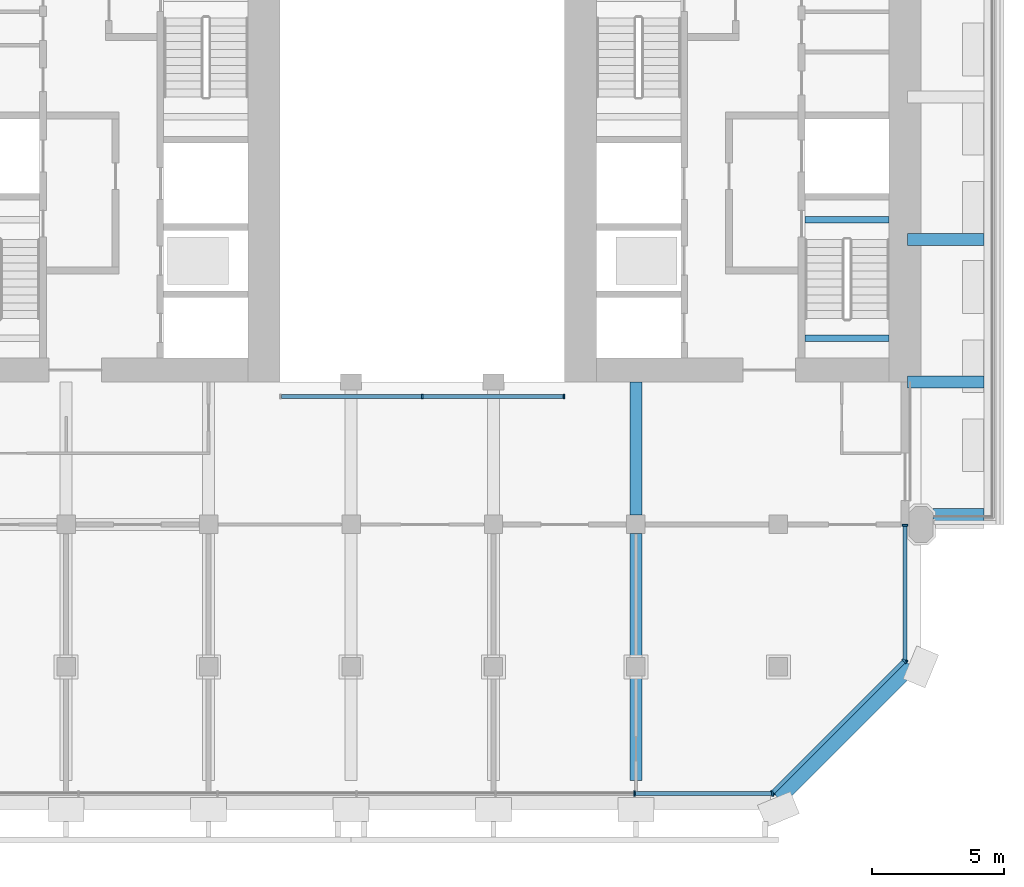
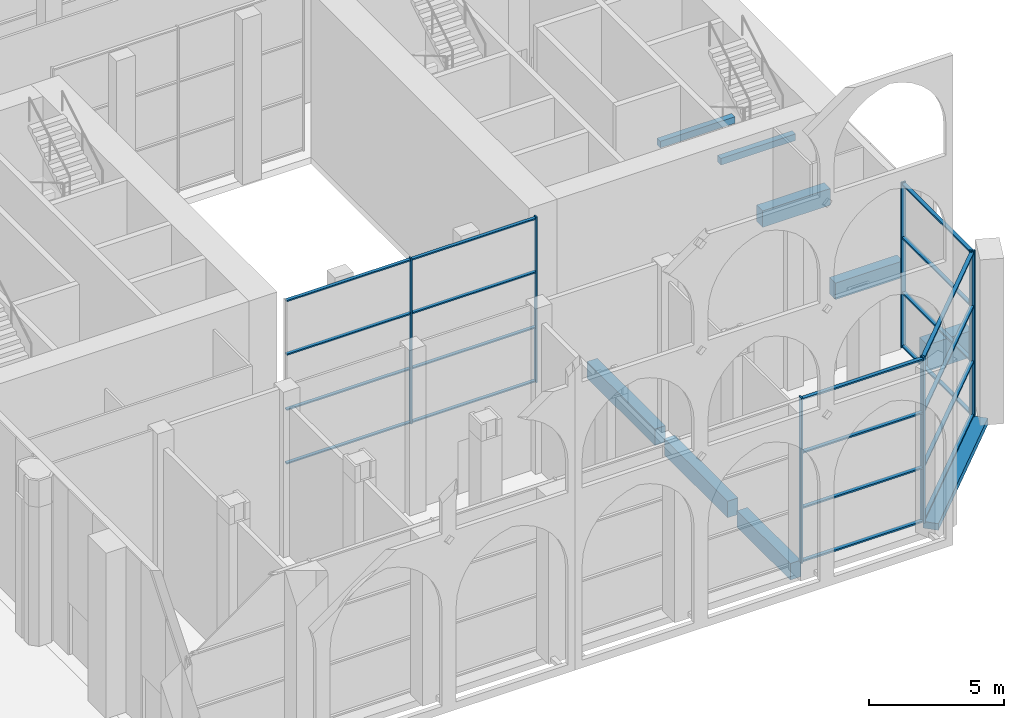
# One storey, part 4 of 20: 28 members, 9 beams, 4 elements without a shape of their own.
"""IFC4 building model written with IfcOpenShell, lengths in metres."""

from ifc_helpers import new_model, si_unit, direction, frame, origin, origin_2d, place, context, subcontext, project, spatial, rectangle, extrude, material, material_profile, profile_set, type_object, element, aggregate, save


model = new_model("IFC4")

# Units and contexts
model_context = context("Model", 3, precision=1e-05, world=origin(), true_north=direction((0.0, 1.0)))
body_context = subcontext(model_context, "Body", "Model", "MODEL_VIEW")
ifc_project = project(units=[si_unit("LENGTHUNIT", "METRE"), si_unit("AREAUNIT", "SQUARE_METRE"), si_unit("VOLUMEUNIT", "CUBIC_METRE"), si_unit("PLANEANGLEUNIT", "RADIAN"), si_unit("MASSUNIT", "GRAM", prefix="KILO")], contexts=[model_context])

# Site, building, storey
site_placement = place(None, origin())
site = spatial("IfcSite", under=ifc_project, at=site_placement, CompositionType="ELEMENT")
building_placement = place(site_placement, origin())
building = spatial("IfcBuilding", under=site, at=building_placement, Name="Tabaq Tower and Sports Hall", CompositionType="ELEMENT")
storey_placement = place(building_placement, frame((0.0, 0.0, 243.10009765625)))
storey = spatial("IfcBuildingStorey", under=building, at=storey_placement, Name="L60", CompositionType="ELEMENT", Elevation=243.10009765625)

# Curtain wall, members
ifc_material_1 = material(Name="Aluminium alloy 6063-T6 framed glazing", Category="aluminium")
curtain_wall_type_1 = type_object("IfcCurtainWallType", Name="CW1 curtain wall", PredefinedType="USERDEFINED", material=ifc_material_1)
curtain_wall_1_placement = place(storey_placement, origin())
curtain_wall_1 = element("IfcCurtainWall", 1, at=curtain_wall_1_placement, inside=storey, type_object=curtain_wall_type_1, Name="Atrium glazing L60 S", ObjectType="ATRIUM ENCLOSURE", PredefinedType="USERDEFINED")
ifc_material_2 = material(Name="Aluminium alloy 6063-T6", Category="aluminium")
ifc_material_profile_1 = material_profile(ifc_material_2, rectangle(XDim=0.159912109375, YDim=0.06005859375, at=origin_2d()), Name="MULLION 160x60")
ifc_profile_set_1 = profile_set([ifc_material_profile_1], Name="Aluminium alloy 6063-T6")
member_type_1 = type_object("IfcMemberType", Name="CW1 mullion 160x60", PredefinedType="MULLION", material=ifc_profile_set_1)
member_1_placement = place(storey_placement, frame((24.300048828125, 15.64990234375, 0.0), z_axis=(0.0, 0.0, 1.0), x_axis=(0.0, 1.0, 0.0)))
member_1 = element("IfcMember", 2, at=member_1_placement, type_object=member_type_1, Name="CW1 mullion 2", PredefinedType="MULLION", context=body_context, shape_type="SweptSolid", body=[
    extrude(rectangle(XDim=0.159912109375, YDim=0.06005859375, at=origin_2d()), origin(), (0.0, 0.0, 1.0), 7.5),
])
member_2_placement = place(storey_placement, frame((29.669921875, 15.64990234375, 0.0), z_axis=(0.0, 0.0, 1.0), x_axis=(0.0, 1.0, 0.0)))
member_2 = element("IfcMember", 3, at=member_2_placement, type_object=member_type_1, Name="CW1 mullion 3", PredefinedType="MULLION", context=body_context, shape_type="SweptSolid", body=[
    extrude(rectangle(XDim=0.159912109375, YDim=0.06005859375, at=origin_2d()), origin(), (0.0, 0.0, 1.0), 7.5),
])
ifc_material_3 = material(Name="Aluminium alloy 6063-T6", Category="aluminium")
ifc_material_profile_2 = material_profile(ifc_material_3, rectangle(XDim=0.139892578125, YDim=0.06005859375, at=origin_2d()), Name="TRANSOM 140x60")
ifc_profile_set_2 = profile_set([ifc_material_profile_2], Name="Aluminium alloy 6063-T6")
member_type_2 = type_object("IfcMemberType", Name="CW1 transom 140x60", PredefinedType="USERDEFINED", material=ifc_profile_set_2)
member_3_placement = place(storey_placement, frame((18.9599609375, 15.64990234375, 0.06982421875), z_axis=(1.0, 0.0, 0.0), x_axis=(0.0, 1.0, 0.0)))
member_3 = element("IfcMember", 4, at=member_3_placement, type_object=member_type_2, Name="CW1 transom 1.1", ObjectType="TRANSOM", PredefinedType="USERDEFINED", context=body_context, shape_type="SweptSolid", body=[
    extrude(rectangle(XDim=0.139892578125, YDim=0.06005859375, at=origin_2d()), origin(), (0.0, 0.0, 1.0), 5.31005859375),
])
member_4_placement = place(storey_placement, frame((18.9599609375, 15.64990234375, 2.5), z_axis=(1.0, 0.0, 0.0), x_axis=(0.0, 1.0, 0.0)))
member_4 = element("IfcMember", 5, at=member_4_placement, type_object=member_type_2, Name="CW1 transom 1.2", ObjectType="TRANSOM", PredefinedType="USERDEFINED", context=body_context, shape_type="SweptSolid", body=[
    extrude(rectangle(XDim=0.139892578125, YDim=0.06005859375, at=origin_2d()), origin(), (0.0, 0.0, 1.0), 5.31005859375),
])
member_5_placement = place(storey_placement, frame((18.9599609375, 15.64990234375, 5.0), z_axis=(1.0, 0.0, 0.0), x_axis=(0.0, 1.0, 0.0)))
member_5 = element("IfcMember", 6, at=member_5_placement, type_object=member_type_2, Name="CW1 transom 1.3", ObjectType="TRANSOM", PredefinedType="USERDEFINED", context=body_context, shape_type="SweptSolid", body=[
    extrude(rectangle(XDim=0.139892578125, YDim=0.06005859375, at=origin_2d()), origin(), (0.0, 0.0, 1.0), 5.31005859375),
])
member_6_placement = place(storey_placement, frame((18.9599609375, 15.64990234375, 7.429931640625), z_axis=(1.0, 0.0, 0.0), x_axis=(0.0, 1.0, 0.0)))
member_6 = element("IfcMember", 7, at=member_6_placement, type_object=member_type_2, Name="CW1 transom 1.4", ObjectType="TRANSOM", PredefinedType="USERDEFINED", context=body_context, shape_type="SweptSolid", body=[
    extrude(rectangle(XDim=0.139892578125, YDim=0.06005859375, at=origin_2d()), origin(), (0.0, 0.0, 1.0), 5.31005859375),
])
member_7_placement = place(storey_placement, frame((24.330078125, 15.64990234375, 0.06982421875), z_axis=(1.0, 0.0, 0.0), x_axis=(0.0, 1.0, 0.0)))
member_7 = element("IfcMember", 8, at=member_7_placement, type_object=member_type_2, Name="CW1 transom 2.1", ObjectType="TRANSOM", PredefinedType="USERDEFINED", context=body_context, shape_type="SweptSolid", body=[
    extrude(rectangle(XDim=0.139892578125, YDim=0.06005859375, at=origin_2d()), origin(), (0.0, 0.0, 1.0), 5.309814453125),
])
member_8_placement = place(storey_placement, frame((24.330078125, 15.64990234375, 2.5), z_axis=(1.0, 0.0, 0.0), x_axis=(0.0, 1.0, 0.0)))
member_8 = element("IfcMember", 9, at=member_8_placement, type_object=member_type_2, Name="CW1 transom 2.2", ObjectType="TRANSOM", PredefinedType="USERDEFINED", context=body_context, shape_type="SweptSolid", body=[
    extrude(rectangle(XDim=0.139892578125, YDim=0.06005859375, at=origin_2d()), origin(), (0.0, 0.0, 1.0), 5.309814453125),
])
member_9_placement = place(storey_placement, frame((24.330078125, 15.64990234375, 5.0), z_axis=(1.0, 0.0, 0.0), x_axis=(0.0, 1.0, 0.0)))
member_9 = element("IfcMember", 10, at=member_9_placement, type_object=member_type_2, Name="CW1 transom 2.3", ObjectType="TRANSOM", PredefinedType="USERDEFINED", context=body_context, shape_type="SweptSolid", body=[
    extrude(rectangle(XDim=0.139892578125, YDim=0.06005859375, at=origin_2d()), origin(), (0.0, 0.0, 1.0), 5.309814453125),
])
member_10_placement = place(storey_placement, frame((24.330078125, 15.64990234375, 7.429931640625), z_axis=(1.0, 0.0, 0.0), x_axis=(0.0, 1.0, 0.0)))
member_10 = element("IfcMember", 11, at=member_10_placement, type_object=member_type_2, Name="CW1 transom 2.4", ObjectType="TRANSOM", PredefinedType="USERDEFINED", context=body_context, shape_type="SweptSolid", body=[
    extrude(rectangle(XDim=0.139892578125, YDim=0.06005859375, at=origin_2d()), origin(), (0.0, 0.0, 1.0), 5.309814453125),
])
aggregate(curtain_wall_1, [member_1, member_2, member_3, member_4, member_5, member_6, member_7, member_8, member_9, member_10])

ifc_material_4 = material(Name="Aluminium alloy 6063-T6 framed glazing", Category="aluminium")
curtain_wall_type_2 = type_object("IfcCurtainWallType", Name="CW2 curtain wall", PredefinedType="USERDEFINED", material=ifc_material_4)
curtain_wall_2_placement = place(storey_placement, origin())
curtain_wall_2 = element("IfcCurtainWall", 12, at=curtain_wall_2_placement, inside=storey, type_object=curtain_wall_type_2, Name="Sky Lobby Wall L60 S", ObjectType="SKY LOBBY WALL", PredefinedType="USERDEFINED")
ifc_material_5 = material(Name="Aluminium alloy 6063-T6", Category="aluminium")
ifc_material_profile_3 = material_profile(ifc_material_5, rectangle(XDim=0.199951171875, YDim=0.070068359375, at=origin_2d()), Name="MULLION 200x70")
ifc_profile_set_3 = profile_set([ifc_material_profile_3], Name="Aluminium alloy 6063-T6")
member_type_3 = type_object("IfcMemberType", Name="CW2 mullion 200x70", PredefinedType="MULLION", material=ifc_profile_set_3)
member_11_placement = place(storey_placement, frame((32.3447265625, 0.60009765625, 0.0), z_axis=(0.0, 0.0, 1.0), x_axis=(0.0, 1.0, 0.0)))
member_11 = element("IfcMember", 13, at=member_11_placement, type_object=member_type_3, Name="CW2 mullion 6", PredefinedType="MULLION", context=body_context, shape_type="SweptSolid", body=[
    extrude(rectangle(XDim=0.199951171875, YDim=0.070068359375, at=origin_2d()), origin(), (0.0, 0.0, 1.0), 7.5),
])
member_12_placement = place(storey_placement, frame((37.57861328125, 0.60009765625, 0.0), z_axis=(0.0, 0.0, 1.0), x_axis=(0.0, 1.0, 0.0)))
member_12 = element("IfcMember", 14, at=member_12_placement, type_object=member_type_3, Name="CW2 mullion 7", PredefinedType="MULLION", context=body_context, shape_type="SweptSolid", body=[
    extrude(rectangle(XDim=0.199951171875, YDim=0.070068359375, at=origin_2d()), origin(), (0.0, 0.0, 1.0), 7.5),
])

curtain_wall_3_placement = place(storey_placement, origin())
curtain_wall_3 = element("IfcCurtainWall", 15, at=curtain_wall_3_placement, inside=storey, type_object=curtain_wall_type_2, Name="Sky Lobby Wall L60 SE", ObjectType="SKY LOBBY WALL", PredefinedType="USERDEFINED")
member_13_placement = place(storey_placement, frame((37.576171875, 0.624755859375, 0.0), z_axis=(0.0, 0.0, 1.0), x_axis=(-0.707106781187, 0.707106781187, 0.0)))
member_13 = element("IfcMember", 16, at=member_13_placement, type_object=member_type_3, Name="CW2 mullion 1", PredefinedType="MULLION", context=body_context, shape_type="SweptSolid", body=[
    extrude(rectangle(XDim=0.199951171875, YDim=0.070068359375, at=origin_2d()), origin(), (0.0, 0.0, 1.0), 7.5),
])
member_14_placement = place(storey_placement, frame((42.5751953125, 5.623779296875, 0.0), z_axis=(0.0, 0.0, 1.0), x_axis=(-0.707106781187, 0.707106781187, 0.0)))
member_14 = element("IfcMember", 17, at=member_14_placement, type_object=member_type_3, Name="CW2 mullion 2", PredefinedType="MULLION", context=body_context, shape_type="SweptSolid", body=[
    extrude(rectangle(XDim=0.199951171875, YDim=0.070068359375, at=origin_2d()), origin(), (0.0, 0.0, 1.0), 7.5),
])

curtain_wall_4_placement = place(storey_placement, origin())
curtain_wall_4 = element("IfcCurtainWall", 18, at=curtain_wall_4_placement, inside=storey, type_object=curtain_wall_type_2, Name="Sky Lobby Wall L60 E", ObjectType="SKY LOBBY WALL", PredefinedType="USERDEFINED")
member_15_placement = place(storey_placement, frame((42.60009765625, 5.621337890625, 0.0), z_axis=(0.0, 0.0, 1.0), x_axis=(-1.0, 0.0, 0.0)))
member_15 = element("IfcMember", 19, at=member_15_placement, type_object=member_type_3, Name="CW2 mullion 1", PredefinedType="MULLION", context=body_context, shape_type="SweptSolid", body=[
    extrude(rectangle(XDim=0.199951171875, YDim=0.070068359375, at=origin_2d()), origin(), (0.0, 0.0, 1.0), 7.5),
])
member_16_placement = place(storey_placement, frame((42.60009765625, 10.764892578125, 0.0), z_axis=(0.0, 0.0, 1.0), x_axis=(-1.0, 0.0, 0.0)))
member_16 = element("IfcMember", 20, at=member_16_placement, type_object=member_type_3, Name="CW2 mullion 2", PredefinedType="MULLION", context=body_context, shape_type="SweptSolid", body=[
    extrude(rectangle(XDim=0.199951171875, YDim=0.070068359375, at=origin_2d()), origin(), (0.0, 0.0, 1.0), 7.5),
])

# Member
ifc_material_6 = material(Name="Aluminium alloy 6063-T6", Category="aluminium")
ifc_material_profile_4 = material_profile(ifc_material_6, rectangle(XDim=0.159912109375, YDim=0.070068359375, at=origin_2d()), Name="TRANSOM 160x70")
ifc_profile_set_4 = profile_set([ifc_material_profile_4], Name="Aluminium alloy 6063-T6")
member_type_4 = type_object("IfcMemberType", Name="CW2 transom 160x70", PredefinedType="USERDEFINED", material=ifc_profile_set_4)
member_17_placement = place(storey_placement, frame((32.379638671875, 0.60009765625, 0.079833984375), z_axis=(1.0, 0.0, 0.0), x_axis=(0.0, 1.0, 0.0)))
member_17 = element("IfcMember", 21, at=member_17_placement, type_object=member_type_4, Name="CW2 transom 6.1", ObjectType="TRANSOM", PredefinedType="USERDEFINED", context=body_context, shape_type="SweptSolid", body=[
    extrude(rectangle(XDim=0.159912109375, YDim=0.070068359375, at=origin_2d()), origin(), (0.0, 0.0, 1.0), 5.1640625),
])

member_18_placement = place(storey_placement, frame((32.379638671875, 0.60009765625, 2.5), z_axis=(1.0, 0.0, 0.0), x_axis=(0.0, 1.0, 0.0)))
member_18 = element("IfcMember", 22, at=member_18_placement, type_object=member_type_4, Name="CW2 transom 6.2", ObjectType="TRANSOM", PredefinedType="USERDEFINED", context=body_context, shape_type="SweptSolid", body=[
    extrude(rectangle(XDim=0.159912109375, YDim=0.070068359375, at=origin_2d()), origin(), (0.0, 0.0, 1.0), 5.1640625),
])

member_19_placement = place(storey_placement, frame((32.379638671875, 0.60009765625, 5.0), z_axis=(1.0, 0.0, 0.0), x_axis=(0.0, 1.0, 0.0)))
member_19 = element("IfcMember", 23, at=member_19_placement, type_object=member_type_4, Name="CW2 transom 6.3", ObjectType="TRANSOM", PredefinedType="USERDEFINED", context=body_context, shape_type="SweptSolid", body=[
    extrude(rectangle(XDim=0.159912109375, YDim=0.070068359375, at=origin_2d()), origin(), (0.0, 0.0, 1.0), 5.1640625),
])

member_20_placement = place(storey_placement, frame((32.379638671875, 0.60009765625, 7.419921875), z_axis=(1.0, 0.0, 0.0), x_axis=(0.0, 1.0, 0.0)))
member_20 = element("IfcMember", 24, at=member_20_placement, type_object=member_type_4, Name="CW2 transom 6.4", ObjectType="TRANSOM", PredefinedType="USERDEFINED", context=body_context, shape_type="SweptSolid", body=[
    extrude(rectangle(XDim=0.159912109375, YDim=0.070068359375, at=origin_2d()), origin(), (0.0, 0.0, 1.0), 5.1640625),
])

aggregate(curtain_wall_2, [member_11, member_12, member_17, member_18, member_19, member_20])

member_21_placement = place(storey_placement, frame((37.60107421875, 0.6494140625, 0.079833984375), z_axis=(0.707089341783, 0.70712422016, 0.0), x_axis=(-0.70712422016, 0.707089341783, 0.0)))
member_21 = element("IfcMember", 25, at=member_21_placement, type_object=member_type_4, Name="CW2 transom 1.1", ObjectType="TRANSOM", PredefinedType="USERDEFINED", context=body_context, shape_type="SweptSolid", body=[
    extrude(rectangle(XDim=0.159912109375, YDim=0.070068359375, at=origin_2d()), origin(), (0.0, 0.0, 1.0), 6.999755859375),
])

member_22_placement = place(storey_placement, frame((37.60107421875, 0.6494140625, 2.5), z_axis=(0.707089341783, 0.70712422016, 0.0), x_axis=(-0.70712422016, 0.707089341783, 0.0)))
member_22 = element("IfcMember", 26, at=member_22_placement, type_object=member_type_4, Name="CW2 transom 1.2", ObjectType="TRANSOM", PredefinedType="USERDEFINED", context=body_context, shape_type="SweptSolid", body=[
    extrude(rectangle(XDim=0.159912109375, YDim=0.070068359375, at=origin_2d()), origin(), (0.0, 0.0, 1.0), 6.999755859375),
])

member_23_placement = place(storey_placement, frame((37.60107421875, 0.6494140625, 5.0), z_axis=(0.707089341783, 0.70712422016, 0.0), x_axis=(-0.70712422016, 0.707089341783, 0.0)))
member_23 = element("IfcMember", 27, at=member_23_placement, type_object=member_type_4, Name="CW2 transom 1.3", ObjectType="TRANSOM", PredefinedType="USERDEFINED", context=body_context, shape_type="SweptSolid", body=[
    extrude(rectangle(XDim=0.159912109375, YDim=0.070068359375, at=origin_2d()), origin(), (0.0, 0.0, 1.0), 6.999755859375),
])

member_24_placement = place(storey_placement, frame((37.60107421875, 0.6494140625, 7.419921875), z_axis=(0.707089341783, 0.70712422016, 0.0), x_axis=(-0.70712422016, 0.707089341783, 0.0)))
member_24 = element("IfcMember", 28, at=member_24_placement, type_object=member_type_4, Name="CW2 transom 1.4", ObjectType="TRANSOM", PredefinedType="USERDEFINED", context=body_context, shape_type="SweptSolid", body=[
    extrude(rectangle(XDim=0.159912109375, YDim=0.070068359375, at=origin_2d()), origin(), (0.0, 0.0, 1.0), 6.999755859375),
])

aggregate(curtain_wall_3, [member_13, member_14, member_21, member_22, member_23, member_24])

member_25_placement = place(storey_placement, frame((42.60009765625, 5.656494140625, 0.079833984375), z_axis=(0.0, 1.0, 0.0), x_axis=(-1.0, 0.0, 0.0)))
member_25 = element("IfcMember", 29, at=member_25_placement, type_object=member_type_4, Name="CW2 transom 1.1", ObjectType="TRANSOM", PredefinedType="USERDEFINED", context=body_context, shape_type="SweptSolid", body=[
    extrude(rectangle(XDim=0.159912109375, YDim=0.070068359375, at=origin_2d()), origin(), (0.0, 0.0, 1.0), 5.073486328125),
])

member_26_placement = place(storey_placement, frame((42.60009765625, 5.656494140625, 2.5), z_axis=(0.0, 1.0, 0.0), x_axis=(-1.0, 0.0, 0.0)))
member_26 = element("IfcMember", 30, at=member_26_placement, type_object=member_type_4, Name="CW2 transom 1.2", ObjectType="TRANSOM", PredefinedType="USERDEFINED", context=body_context, shape_type="SweptSolid", body=[
    extrude(rectangle(XDim=0.159912109375, YDim=0.070068359375, at=origin_2d()), origin(), (0.0, 0.0, 1.0), 5.073486328125),
])

member_27_placement = place(storey_placement, frame((42.60009765625, 5.656494140625, 5.0), z_axis=(0.0, 1.0, 0.0), x_axis=(-1.0, 0.0, 0.0)))
member_27 = element("IfcMember", 31, at=member_27_placement, type_object=member_type_4, Name="CW2 transom 1.3", ObjectType="TRANSOM", PredefinedType="USERDEFINED", context=body_context, shape_type="SweptSolid", body=[
    extrude(rectangle(XDim=0.159912109375, YDim=0.070068359375, at=origin_2d()), origin(), (0.0, 0.0, 1.0), 5.073486328125),
])

member_28_placement = place(storey_placement, frame((42.60009765625, 5.656494140625, 7.419921875), z_axis=(0.0, 1.0, 0.0), x_axis=(-1.0, 0.0, 0.0)))
member_28 = element("IfcMember", 32, at=member_28_placement, type_object=member_type_4, Name="CW2 transom 1.4", ObjectType="TRANSOM", PredefinedType="USERDEFINED", context=body_context, shape_type="SweptSolid", body=[
    extrude(rectangle(XDim=0.159912109375, YDim=0.070068359375, at=origin_2d()), origin(), (0.0, 0.0, 1.0), 5.073486328125),
])

aggregate(curtain_wall_4, [member_15, member_16, member_25, member_26, member_27, member_28])

# Beams
ifc_material_7 = material(Name="Concrete C40/50", Category="concrete")
ifc_material_profile_5 = material_profile(ifc_material_7, rectangle(XDim=0.60009765625, YDim=1.199951171875, at=origin_2d()), Name="EBT 600x1200")
ifc_profile_set_5 = profile_set([ifc_material_profile_5], Name="Concrete C40/50")
beam_type_1 = type_object("IfcBeamType", Name="Concrete C40/50 PT edge band EBT 600x1200", PredefinedType="BEAM", material=ifc_profile_set_5)
beam_1_placement = place(storey_placement, frame((43.64990234375, 11.10009765625, -0.900146484375), z_axis=(1.0, 0.0, 0.0), x_axis=(0.0, 1.0, 0.0)))
element("IfcBeam", 33, at=beam_1_placement, inside=storey, type_object=beam_type_1, Name="Tray edge band L60", PredefinedType="BEAM", context=body_context, shape_type="SweptSolid", body=[
    extrude(rectangle(XDim=0.60009765625, YDim=1.199951171875, at=origin_2d()), origin(), (0.0, 0.0, 1.0), 1.9501953125),
])
ifc_material_8 = material(Name="Concrete C40/50", Category="concrete")
ifc_material_profile_6 = material_profile(ifc_material_8, rectangle(XDim=0.449951171875, YDim=0.75, at=origin_2d()), Name="CB 450x750")
ifc_profile_set_6 = profile_set([ifc_material_profile_6], Name="Concrete C40/50")
beam_type_2 = type_object("IfcBeamType", Name="PT CANTILEVER BEAM CB 450x750 C40/50", PredefinedType="BEAM", material=ifc_profile_set_6)
beam_2_placement = place(storey_placement, frame((32.39990234375, 1.10009765625, -0.675048828125), z_axis=(0.0, 1.0, 0.0), x_axis=(-1.0, 0.0, 0.0)))
element("IfcBeam", 34, at=beam_2_placement, inside=storey, type_object=beam_type_2, Name="Cantilever Beam L60 S6 span 1", PredefinedType="BEAM", context=body_context, shape_type="SweptSolid", body=[
    extrude(rectangle(XDim=0.449951171875, YDim=0.75, at=origin_2d()), origin(), (0.0, 0.0, 1.0), 3.949951171875),
])
beam_3_placement = place(storey_placement, frame((32.39990234375, 5.75, -0.675048828125), z_axis=(0.0, 1.0, 0.0), x_axis=(-1.0, 0.0, 0.0)))
element("IfcBeam", 35, at=beam_3_placement, inside=storey, type_object=beam_type_2, Name="Cantilever Beam L60 S6 span 2", PredefinedType="BEAM", context=body_context, shape_type="SweptSolid", body=[
    extrude(rectangle(XDim=0.449951171875, YDim=0.75, at=origin_2d()), origin(), (0.0, 0.0, 1.0), 4.699951171875),
])
beam_4_placement = place(storey_placement, frame((32.39990234375, 11.14990234375, -0.675048828125), z_axis=(0.0, 1.0, 0.0), x_axis=(-1.0, 0.0, 0.0)))
element("IfcBeam", 36, at=beam_4_placement, inside=storey, type_object=beam_type_2, Name="Cantilever Beam L60 S6 span 3", PredefinedType="BEAM", context=body_context, shape_type="SweptSolid", body=[
    extrude(rectangle(XDim=0.449951171875, YDim=0.75, at=origin_2d()), origin(), (0.0, 0.0, 1.0), 5.050048828125),
])
for number, where, z_axis, x_axis, name in (
    (37, (45.60009765625, 16.199951171875, -0.675048828125), (-1.0, 0.0, 0.0), (0.0, -1.0, 0.0), "Tray Cantilever Beam L60 T1 span 1"),
    (38, (45.60009765625, 21.60009765625, -0.675048828125), (-1.0, 0.0, 0.0), (0.0, -1.0, 0.0), "Tray Cantilever Beam L60 T2 span 1"),
):
    element("IfcBeam", number, at=place(storey_placement, frame(where, z_axis=z_axis, x_axis=x_axis)), inside=storey, type_object=beam_type_2, Name=name, PredefinedType="BEAM", context=body_context, shape_type="SweptSolid", body=[
        extrude(rectangle(XDim=0.449951171875, YDim=0.75, at=origin_2d()), origin(), (0.0, 0.0, 1.0), 2.900146484375),
    ])
ifc_material_9 = material(Name="Concrete C40/50", Category="concrete")
ifc_material_profile_7 = material_profile(ifc_material_9, rectangle(XDim=0.60009765625, YDim=0.300048828125, at=origin_2d()), Name="EB 600x300")
ifc_profile_set_7 = profile_set([ifc_material_profile_7], Name="Concrete C40/50")
beam_type_3 = type_object("IfcBeamType", Name="PT EDGE BEAM EB 600x300 C40/50", PredefinedType="SPANDREL", material=ifc_profile_set_7)
beam_5_placement = place(storey_placement, frame((37.799072265625, 0.42333984375, -0.150146484375), z_axis=(0.707106781187, 0.707106781187, 0.0), x_axis=(-0.707106781187, 0.707106781187, 0.0)))
element("IfcBeam", 39, at=beam_5_placement, inside=storey, type_object=beam_type_3, Name="Edge Beam L60 2", PredefinedType="SPANDREL", context=body_context, shape_type="SweptSolid", body=[
    extrude(rectangle(XDim=0.60009765625, YDim=0.300048828125, at=origin_2d()), origin(), (0.0, 0.0, 1.0), 7.087890625),
])
ifc_material_10 = material(Name="Concrete C40/50", Category="concrete")
ifc_material_profile_8 = material_profile(ifc_material_10, rectangle(XDim=0.25, YDim=0.300048828125, at=origin_2d()), Name="RC 250x300")
ifc_profile_set_8 = profile_set([ifc_material_profile_8], Name="Concrete C40/50")
beam_type_4 = type_object("IfcBeamType", Name="Stair landing beam 250x300", PredefinedType="BEAM", material=ifc_profile_set_8)
for number, where, z_axis, x_axis, name in (
    (40, (38.800048828125, 22.35009765625, 3.5498046875), (1.0, 0.0, 0.0), (0.0, 1.0, 0.0), "L60 ST3 landing beam 2"),
    (41, (38.800048828125, 17.85009765625, 5.5), (1.0, 0.0, 0.0), (0.0, 1.0, 0.0), "L60 ST3 landing beam 3"),
):
    element("IfcBeam", number, at=place(storey_placement, frame(where, z_axis=z_axis, x_axis=x_axis)), inside=storey, type_object=beam_type_4, Name=name, PredefinedType="BEAM", context=body_context, shape_type="SweptSolid", body=[
        extrude(rectangle(XDim=0.25, YDim=0.300048828125, at=origin_2d()), origin(), (0.0, 0.0, 1.0), 3.199951171875),
    ])

save(model, "model.ifc")
